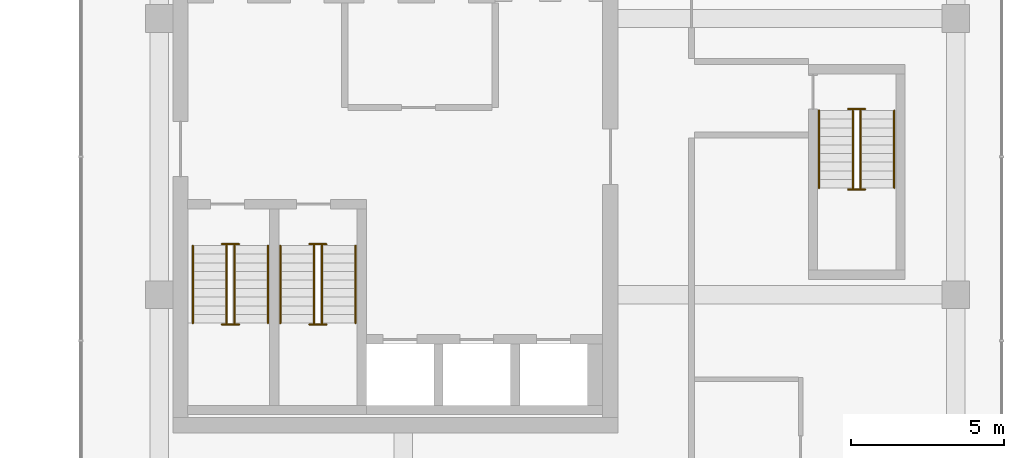
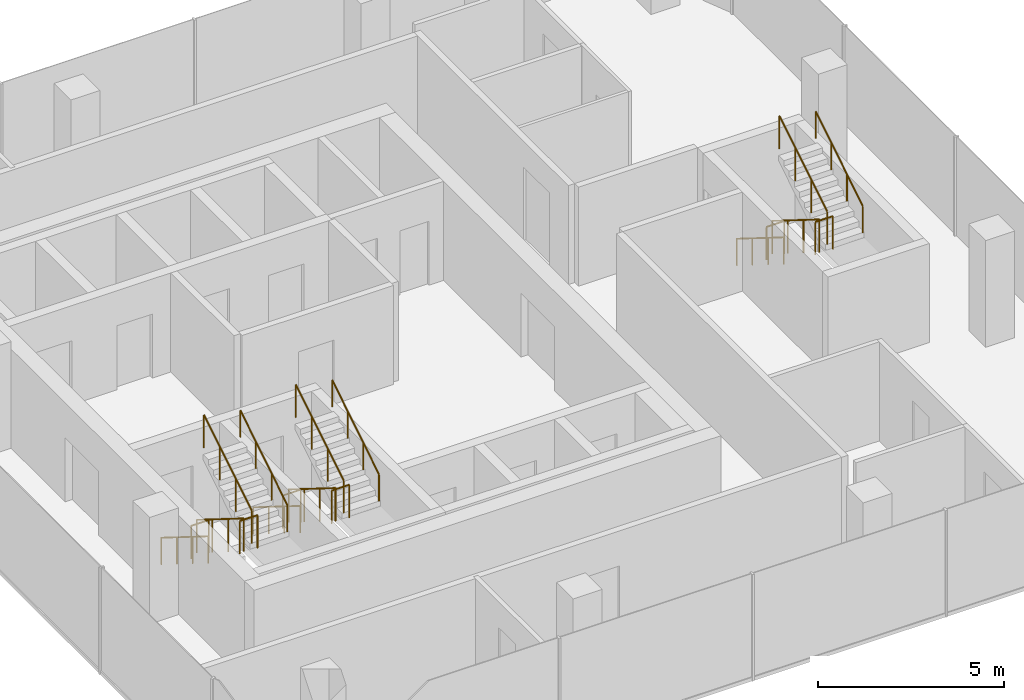
# One storey, part 24 of 24: 18 railings.
"""IFC4 building model written with IfcOpenShell, lengths in metres."""

import ifcopenshell
import ifcopenshell.guid

model = None  # the IFC model being written
_history = None  # IfcOwnerHistory: only IFC2X3 demands one
_inside = {}  # id of a spatial element -> (the spatial element, [elements in it])
_under = {}  # id of a project, library or spatial element -> (it, [spatial elements below it])
_declared = {}  # id of a project -> (the project, [libraries it declares])
_typed = {}  # id of a type object -> (the type object, [elements of that type])
_made_of = {}  # id of a material, layer set ... -> (it, [elements and type objects made of it])


def new_model(schema):
    """Start an empty IFC model of exactly this schema.

    Asked for "IFC4X3", IfcOpenShell would pick the latest addendum, in which some entities
    have other attributes; the version numbers below select the first issue.
    IFC2X3 requires an IfcOwnerHistory on every rooted entity: one is made here for all.
    """
    global model, _history
    if schema == "IFC4X3":
        model = ifcopenshell.file(schema_version=(4, 3, 0, 0))
    else:
        model = ifcopenshell.file(schema=schema)
    _inside.clear()
    _under.clear()
    _declared.clear()
    _typed.clear()
    _made_of.clear()
    _history = None
    if model.schema == "IFC2X3":
        org = make("IfcOrganization", Name="unknown")
        user = make(
            "IfcPersonAndOrganization",
            ThePerson=make("IfcPerson", FamilyName="unknown"),
            TheOrganization=org,
        )
        app = make(
            "IfcApplication",
            ApplicationDeveloper=org,
            Version="unknown",
            ApplicationFullName="unknown",
            ApplicationIdentifier="unknown",
        )
        _history = make(
            "IfcOwnerHistory",
            OwningUser=user,
            OwningApplication=app,
            ChangeAction="ADDED",
            CreationDate=0,
        )
    return model


def make(cls, **values):
    """One entity of the class cls with the attributes given. An attribute that is None is left unset."""
    return model.create_entity(
        cls, **{name: value for name, value in values.items() if value is not None}
    )


def rooted(cls, **values):
    """An entity with a GlobalId (a new one), such as an element, a storey or a relation."""
    return make(cls, GlobalId=ifcopenshell.guid.new(), OwnerHistory=_history, **values)


def si_unit(unit_type, name, prefix=None):
    """IfcSIUnit, for example si_unit("LENGTHUNIT", "METRE", prefix="MILLI")."""
    return make("IfcSIUnit", UnitType=unit_type, Prefix=prefix, Name=name)


def assignment(units):
    """IfcUnitAssignment: the units of a project."""
    return None if units is None else make("IfcUnitAssignment", Units=units)


def point(xyz):
    """IfcCartesianPoint."""
    return None if xyz is None else make("IfcCartesianPoint", Coordinates=xyz)


def direction(xyz):
    """IfcDirection."""
    return None if xyz is None else make("IfcDirection", DirectionRatios=xyz)


def frame(location, z_axis=None, x_axis=None):
    """IfcAxis2Placement3D, a coordinate frame: its origin and axes. An axis left out is left unset."""
    return make(
        "IfcAxis2Placement3D",
        Location=point(location),
        Axis=direction(z_axis),
        RefDirection=direction(x_axis),
    )


def frame_2d(location, x_axis=None):
    """IfcAxis2Placement2D, a coordinate frame in the plane: its origin and x axis."""
    return make(
        "IfcAxis2Placement2D", Location=point(location), RefDirection=direction(x_axis)
    )


def origin():
    """The frame at (0, 0, 0) with its axes left unset."""
    return frame((0.0, 0.0, 0.0))


def origin_2d():
    """The frame at (0, 0) in the plane with its x axis left unset."""
    return frame_2d((0.0, 0.0))


def place(relative_to, where):
    """IfcLocalPlacement: puts the frame where relative to a parent placement (None: the world)."""
    return make(
        "IfcLocalPlacement", PlacementRelTo=relative_to, RelativePlacement=where
    )


def context(
    kind, dimensions, precision=None, world=None, true_north=None, identifier=None
):
    """IfcGeometricRepresentationContext, for example the 3D "Model" context."""
    return make(
        "IfcGeometricRepresentationContext",
        ContextIdentifier=identifier,
        ContextType=kind,
        CoordinateSpaceDimension=dimensions,
        Precision=precision,
        WorldCoordinateSystem=world,
        TrueNorth=true_north,
    )


def subcontext(parent, identifier, kind, view, scale=None):
    """IfcGeometricRepresentationSubContext, for example "Body" below "Model"."""
    return make(
        "IfcGeometricRepresentationSubContext",
        ContextIdentifier=identifier,
        ContextType=kind,
        ParentContext=parent,
        TargetScale=scale,
        TargetView=view,
    )


def project(units=None, contexts=None):
    """IfcProject with its units and contexts."""
    return rooted(
        "IfcProject",
        Name="project",
        RepresentationContexts=contexts,
        UnitsInContext=assignment(units),
    )


def spatial(cls, under=None, at=None, **own):
    """A site, building, storey or space (cls), placed at a placement, below another one or the project."""
    s = rooted(cls, ObjectPlacement=at, **own)
    if under is not None:
        _under.setdefault(under.id(), (under, []))[1].append(s)
    return s


def profile(cls, at=None, kind="AREA", **sizes):
    """A parametric profile (cls). Its sizes go by their IFC names, for example OverallWidth=200.0."""
    return make(cls, ProfileType=kind, Position=at, **sizes)


def circle(**sizes):
    """IfcCircleProfileDef."""
    return profile("IfcCircleProfileDef", **sizes)


def extrude(swept, where, along, depth):
    """IfcExtrudedAreaSolid: the profile swept, set in the frame where, extruded along a direction by depth."""
    return make(
        "IfcExtrudedAreaSolid",
        SweptArea=swept,
        Position=where,
        ExtrudedDirection=direction(along),
        Depth=depth,
    )


def shape(context_of_items, identifier, shape_type, items):
    """IfcShapeRepresentation: the items that make up one representation, for example the "Body"."""
    return make(
        "IfcShapeRepresentation",
        ContextOfItems=context_of_items,
        RepresentationIdentifier=identifier,
        RepresentationType=shape_type,
        Items=items,
    )


def material(Name=None, Category=None):
    """IfcMaterial."""
    return make("IfcMaterial", Name=Name, Category=Category)


def made_of(thing, what):
    """Note that an element or type object is made of a material, layer set ...; save() writes the relation."""
    if what is not None:
        _made_of.setdefault(what.id(), (what, []))[1].append(thing)
    return thing


def type_object(cls, material=None, **own):
    """A type object (cls), such as IfcWallType, which elements share."""
    return made_of(rooted(cls, **own), material)


def element(
    cls,
    number,
    at=None,
    inside=None,
    cuts=None,
    type_object=None,
    material=None,
    context=None,
    identifier="Body",
    shape_type=None,
    held_by="IfcProductDefinitionShape",
    body=None,
    shapes=None,
    **own,
):
    """One element of the class cls, such as IfcWall. Its Tag is "e" and its number.

    at: its placement. inside: the storey or other place that contains it. cuts: it is an
    opening in that element (IfcRelVoidsElement). A single representation is given by context,
    identifier, shape_type and body (its items); several are given by shapes. held_by: the class
    of the entity that holds the representations. save() writes the other relations.
    """
    e = rooted(cls, Tag="e%d" % number, ObjectPlacement=at, **own)
    if body is not None:
        shapes = [shape(context, identifier, shape_type, body)]
    if shapes is not None:
        e.Representation = make(held_by, Representations=shapes)
    if inside is not None:
        _inside.setdefault(inside.id(), (inside, []))[1].append(e)
    if cuts is not None:
        rooted(
            "IfcRelVoidsElement", RelatingBuildingElement=cuts, RelatedOpeningElement=e
        )
    if type_object is not None:
        _typed.setdefault(type_object.id(), (type_object, []))[1].append(e)
    return made_of(e, material)


def aggregate(whole, parts):
    """IfcRelAggregates: a whole, such as a stair, and the parts it consists of."""
    return rooted("IfcRelAggregates", RelatingObject=whole, RelatedObjects=parts)


def save(model, path):
    """Write the relations noted so far, then the file.

    IfcRelAggregates (storeys below a building ...), IfcRelContainedInSpatialStructure (elements
    in a storey), IfcRelDefinesByType, IfcRelAssociatesMaterial and IfcRelDeclares: one each for
    every whole, place, type object, material and project.
    """
    for whole, parts in _under.values():
        aggregate(whole, parts)
    for where, things in _inside.values():
        rooted(
            "IfcRelContainedInSpatialStructure",
            RelatedElements=things,
            RelatingStructure=where,
        )
    for kind, things in _typed.values():
        rooted("IfcRelDefinesByType", RelatedObjects=things, RelatingType=kind)
    for what, things in _made_of.values():
        rooted("IfcRelAssociatesMaterial", RelatedObjects=things, RelatingMaterial=what)
    for by, libraries in _declared.values():
        rooted("IfcRelDeclares", RelatingContext=by, RelatedDefinitions=libraries)
    model.write(path)


model = new_model("IFC4")

# Units and contexts
model_context = context("Model", 3, precision=1e-05, world=origin(), true_north=direction((0.0, 1.0)))
body_context = subcontext(model_context, "Body", "Model", "MODEL_VIEW")
ifc_project = project(units=[si_unit("LENGTHUNIT", "METRE"), si_unit("AREAUNIT", "SQUARE_METRE"), si_unit("VOLUMEUNIT", "CUBIC_METRE"), si_unit("PLANEANGLEUNIT", "RADIAN"), si_unit("MASSUNIT", "GRAM", prefix="KILO")], contexts=[model_context])

# Site, building, storey
site_placement = place(None, origin())
site = spatial("IfcSite", under=ifc_project, at=site_placement, CompositionType="ELEMENT")
building_placement = place(site_placement, origin())
building = spatial("IfcBuilding", under=site, at=building_placement, Name="Plateau Cross Towers", CompositionType="ELEMENT")
storey_placement = place(building_placement, frame((0.0, 0.0, 47.800048828125)))
storey = spatial("IfcBuildingStorey", under=building, at=storey_placement, Name="L11", CompositionType="ELEMENT", Elevation=47.800048828125)

# Railings
ifc_material_1 = material(Name="Stainless steel and toughened glass", Category="steel")
railing_type_1 = type_object("IfcRailingType", Name="RL-GUARD-1100", PredefinedType="GUARDRAIL", material=ifc_material_1)
railing_1_placement = place(storey_placement, frame((76.75, 6.10009765625, 0.175048828125)))
element("IfcRailing", 1, at=railing_1_placement, inside=storey, type_object=railing_type_1, Name="L11 SB-1 stair guard 1", PredefinedType="GUARDRAIL", context=body_context, shape_type="SweptSolid", body=[
    extrude(circle(Radius=0.02392578125, at=origin_2d()), frame((0.0, 0.0, 1.076171875), z_axis=(0.0, -0.848007534815, 0.529984170421), x_axis=(1.0, 0.0, 0.0)), (0.0, 0.0, 1.0), 2.9716796875),
    extrude(circle(Radius=0.02099609375, at=origin_2d()), origin(), (0.0, 0.0, 1.0), 1.052001953125),
    extrude(circle(Radius=0.02099609375, at=origin_2d()), frame((0.0, -0.840087890625, 0.52490234375)), (0.0, 0.0, 1.0), 1.052001953125),
    extrude(circle(Radius=0.02099609375, at=origin_2d()), frame((0.0, -1.679931640625, 1.050048828125)), (0.0, 0.0, 1.0), 1.052001953125),
    extrude(circle(Radius=0.02099609375, at=origin_2d()), frame((0.0, -2.52001953125, 1.574951171875)), (0.0, 0.0, 1.0), 1.052001953125),
])
railing_2_placement = place(storey_placement, frame((76.60009765625, 3.530029296875, 1.75)))
element("IfcRailing", 2, at=railing_2_placement, inside=storey, type_object=railing_type_1, Name="L11 SB-1 stair guard 2", PredefinedType="GUARDRAIL", context=body_context, shape_type="SweptSolid", body=[
    extrude(circle(Radius=0.02392578125, at=origin_2d()), frame((0.0, 0.0, 1.076171875), z_axis=(1.0, 0.0, 0.0), x_axis=(0.0, 1.0, 0.0)), (0.0, 0.0, 1.0), 0.5498046875),
    extrude(circle(Radius=0.02099609375, at=origin_2d()), origin(), (0.0, 0.0, 1.0), 1.052001953125),
    extrude(circle(Radius=0.02099609375, at=origin_2d()), frame((0.5498046875, 0.0, 0.0)), (0.0, 0.0, 1.0), 1.052001953125),
])
railing_3_placement = place(storey_placement, frame((77.0, 3.580078125, 1.925048828125)))
element("IfcRailing", 3, at=railing_3_placement, inside=storey, type_object=railing_type_1, Name="L11 SB-1 stair guard 3", PredefinedType="GUARDRAIL", context=body_context, shape_type="SweptSolid", body=[
    extrude(circle(Radius=0.02392578125, at=origin_2d()), frame((0.0, 0.0, 1.076171875), z_axis=(0.0, 0.852616386126, 0.522537365276), x_axis=(-1.0, 0.0, 0.0)), (0.0, 0.0, 1.0), 3.01416015625),
    extrude(circle(Radius=0.02099609375, at=origin_2d()), origin(), (0.0, 0.0, 1.0), 1.052001953125),
    extrude(circle(Radius=0.02099609375, at=origin_2d()), frame((0.0, 0.856689453125, 0.52490234375)), (0.0, 0.0, 1.0), 1.052001953125),
    extrude(circle(Radius=0.02099609375, at=origin_2d()), frame((0.0, 1.713134765625, 1.050048828125)), (0.0, 0.0, 1.0), 1.052001953125),
    extrude(circle(Radius=0.02099609375, at=origin_2d()), frame((0.0, 2.56982421875, 1.574951171875)), (0.0, 0.0, 1.0), 1.052001953125),
])
railing_4_placement = place(storey_placement, frame((76.60009765625, 6.14990234375, 0.0)))
element("IfcRailing", 4, at=railing_4_placement, inside=storey, type_object=railing_type_1, Name="L11 SB-1 stair guard 4", PredefinedType="GUARDRAIL", context=body_context, shape_type="SweptSolid", body=[
    extrude(circle(Radius=0.02392578125, at=origin_2d()), frame((0.0, 0.0, 1.076171875), z_axis=(1.0, 0.0, 0.0), x_axis=(0.0, 1.0, 0.0)), (0.0, 0.0, 1.0), 0.5498046875),
    extrude(circle(Radius=0.02099609375, at=origin_2d()), origin(), (0.0, 0.0, 1.0), 1.052001953125),
    extrude(circle(Radius=0.02099609375, at=origin_2d()), frame((0.5498046875, 0.0, 0.0)), (0.0, 0.0, 1.0), 1.052001953125),
])
railing_5_placement = place(storey_placement, frame((79.60009765625, 6.10009765625, 0.175048828125)))
element("IfcRailing", 5, at=railing_5_placement, inside=storey, type_object=railing_type_1, Name="L11 SB-2 stair guard 1", PredefinedType="GUARDRAIL", context=body_context, shape_type="SweptSolid", body=[
    extrude(circle(Radius=0.02392578125, at=origin_2d()), frame((0.0, 0.0, 1.076171875), z_axis=(0.0, -0.848007534815, 0.529984170421), x_axis=(1.0, 0.0, 0.0)), (0.0, 0.0, 1.0), 2.9716796875),
    extrude(circle(Radius=0.02099609375, at=origin_2d()), origin(), (0.0, 0.0, 1.0), 1.052001953125),
    extrude(circle(Radius=0.02099609375, at=origin_2d()), frame((0.0, -0.840087890625, 0.52490234375)), (0.0, 0.0, 1.0), 1.052001953125),
    extrude(circle(Radius=0.02099609375, at=origin_2d()), frame((0.0, -1.679931640625, 1.050048828125)), (0.0, 0.0, 1.0), 1.052001953125),
    extrude(circle(Radius=0.02099609375, at=origin_2d()), frame((0.0, -2.52001953125, 1.574951171875)), (0.0, 0.0, 1.0), 1.052001953125),
])
railing_6_placement = place(storey_placement, frame((79.449951171875, 3.530029296875, 1.75)))
element("IfcRailing", 6, at=railing_6_placement, inside=storey, type_object=railing_type_1, Name="L11 SB-2 stair guard 2", PredefinedType="GUARDRAIL", context=body_context, shape_type="SweptSolid", body=[
    extrude(circle(Radius=0.02392578125, at=origin_2d()), frame((0.0, 0.0, 1.076171875), z_axis=(1.0, 0.0, 0.0), x_axis=(0.0, 1.0, 0.0)), (0.0, 0.0, 1.0), 0.550048828125),
    extrude(circle(Radius=0.02099609375, at=origin_2d()), origin(), (0.0, 0.0, 1.0), 1.052001953125),
    extrude(circle(Radius=0.02099609375, at=origin_2d()), frame((0.550048828125, 0.0, 0.0)), (0.0, 0.0, 1.0), 1.052001953125),
])
railing_7_placement = place(storey_placement, frame((79.85009765625, 3.580078125, 1.925048828125)))
element("IfcRailing", 7, at=railing_7_placement, inside=storey, type_object=railing_type_1, Name="L11 SB-2 stair guard 3", PredefinedType="GUARDRAIL", context=body_context, shape_type="SweptSolid", body=[
    extrude(circle(Radius=0.02392578125, at=origin_2d()), frame((0.0, 0.0, 1.076171875), z_axis=(0.0, 0.852616386126, 0.522537365276), x_axis=(-1.0, 0.0, 0.0)), (0.0, 0.0, 1.0), 3.01416015625),
    extrude(circle(Radius=0.02099609375, at=origin_2d()), origin(), (0.0, 0.0, 1.0), 1.052001953125),
    extrude(circle(Radius=0.02099609375, at=origin_2d()), frame((0.0, 0.856689453125, 0.52490234375)), (0.0, 0.0, 1.0), 1.052001953125),
    extrude(circle(Radius=0.02099609375, at=origin_2d()), frame((0.0, 1.713134765625, 1.050048828125)), (0.0, 0.0, 1.0), 1.052001953125),
    extrude(circle(Radius=0.02099609375, at=origin_2d()), frame((0.0, 2.56982421875, 1.574951171875)), (0.0, 0.0, 1.0), 1.052001953125),
])
railing_8_placement = place(storey_placement, frame((79.449951171875, 6.14990234375, 0.0)))
element("IfcRailing", 8, at=railing_8_placement, inside=storey, type_object=railing_type_1, Name="L11 SB-2 stair guard 4", PredefinedType="GUARDRAIL", context=body_context, shape_type="SweptSolid", body=[
    extrude(circle(Radius=0.02392578125, at=origin_2d()), frame((0.0, 0.0, 1.076171875), z_axis=(1.0, 0.0, 0.0), x_axis=(0.0, 1.0, 0.0)), (0.0, 0.0, 1.0), 0.550048828125),
    extrude(circle(Radius=0.02099609375, at=origin_2d()), origin(), (0.0, 0.0, 1.0), 1.052001953125),
    extrude(circle(Radius=0.02099609375, at=origin_2d()), frame((0.550048828125, 0.0, 0.0)), (0.0, 0.0, 1.0), 1.052001953125),
])
railing_9_placement = place(storey_placement, frame((97.14990234375, 10.5, 0.175048828125)))
element("IfcRailing", 9, at=railing_9_placement, inside=storey, type_object=railing_type_1, Name="L11 SB-3 stair guard 1", PredefinedType="GUARDRAIL", context=body_context, shape_type="SweptSolid", body=[
    extrude(circle(Radius=0.02392578125, at=origin_2d()), frame((0.0, 0.0, 1.076171875), z_axis=(0.0, -0.848007534815, 0.529984170421), x_axis=(1.0, 0.0, 0.0)), (0.0, 0.0, 1.0), 2.9716796875),
    extrude(circle(Radius=0.02099609375, at=origin_2d()), origin(), (0.0, 0.0, 1.0), 1.052001953125),
    extrude(circle(Radius=0.02099609375, at=origin_2d()), frame((0.0, -0.840087890625, 0.52490234375)), (0.0, 0.0, 1.0), 1.052001953125),
    extrude(circle(Radius=0.02099609375, at=origin_2d()), frame((0.0, -1.679931640625, 1.050048828125)), (0.0, 0.0, 1.0), 1.052001953125),
    extrude(circle(Radius=0.02099609375, at=origin_2d()), frame((0.0, -2.52001953125, 1.574951171875)), (0.0, 0.0, 1.0), 1.052001953125),
])
railing_10_placement = place(storey_placement, frame((97.0, 7.929931640625, 1.75)))
element("IfcRailing", 10, at=railing_10_placement, inside=storey, type_object=railing_type_1, Name="L11 SB-3 stair guard 2", PredefinedType="GUARDRAIL", context=body_context, shape_type="SweptSolid", body=[
    extrude(circle(Radius=0.02392578125, at=origin_2d()), frame((0.0, 0.0, 1.076171875), z_axis=(1.0, 0.0, 0.0), x_axis=(0.0, 1.0, 0.0)), (0.0, 0.0, 1.0), 0.550048828125),
    extrude(circle(Radius=0.02099609375, at=origin_2d()), origin(), (0.0, 0.0, 1.0), 1.052001953125),
    extrude(circle(Radius=0.02099609375, at=origin_2d()), frame((0.550048828125, 0.0, 0.0)), (0.0, 0.0, 1.0), 1.052001953125),
])
railing_11_placement = place(storey_placement, frame((97.39990234375, 7.97998046875, 1.925048828125)))
element("IfcRailing", 11, at=railing_11_placement, inside=storey, type_object=railing_type_1, Name="L11 SB-3 stair guard 3", PredefinedType="GUARDRAIL", context=body_context, shape_type="SweptSolid", body=[
    extrude(circle(Radius=0.02392578125, at=origin_2d()), frame((0.0, 0.0, 1.076171875), z_axis=(0.0, 0.852638500773, 0.522501279423), x_axis=(-1.0, 0.0, 0.0)), (0.0, 0.0, 1.0), 3.01416015625),
    extrude(circle(Radius=0.02099609375, at=origin_2d()), origin(), (0.0, 0.0, 1.0), 1.052001953125),
    extrude(circle(Radius=0.02099609375, at=origin_2d()), frame((0.0, 0.856689453125, 0.52490234375)), (0.0, 0.0, 1.0), 1.052001953125),
    extrude(circle(Radius=0.02099609375, at=origin_2d()), frame((0.0, 1.71337890625, 1.050048828125)), (0.0, 0.0, 1.0), 1.052001953125),
    extrude(circle(Radius=0.02099609375, at=origin_2d()), frame((0.0, 2.570068359375, 1.574951171875)), (0.0, 0.0, 1.0), 1.052001953125),
])
railing_12_placement = place(storey_placement, frame((97.0, 10.550048828125, 0.0)))
element("IfcRailing", 12, at=railing_12_placement, inside=storey, type_object=railing_type_1, Name="L11 SB-3 stair guard 4", PredefinedType="GUARDRAIL", context=body_context, shape_type="SweptSolid", body=[
    extrude(circle(Radius=0.02392578125, at=origin_2d()), frame((0.0, 0.0, 1.076171875), z_axis=(1.0, 0.0, 0.0), x_axis=(0.0, 1.0, 0.0)), (0.0, 0.0, 1.0), 0.550048828125),
    extrude(circle(Radius=0.02099609375, at=origin_2d()), origin(), (0.0, 0.0, 1.0), 1.052001953125),
    extrude(circle(Radius=0.02099609375, at=origin_2d()), frame((0.550048828125, 0.0, 0.0)), (0.0, 0.0, 1.0), 1.052001953125),
])
ifc_material_2 = material(Name="Black anodised aluminium", Category="aluminium")
railing_type_2 = type_object("IfcRailingType", Name="RL-HANDRAIL-900", PredefinedType="HANDRAIL", material=ifc_material_2)
railing_13_placement = place(storey_placement, frame((75.64990234375, 6.10009765625, 0.175048828125)))
element("IfcRailing", 13, at=railing_13_placement, inside=storey, type_object=railing_type_2, Name="L11 SB-1 stair handrail 1", PredefinedType="HANDRAIL", context=body_context, shape_type="SweptSolid", body=[
    extrude(circle(Radius=0.02392578125, at=origin_2d()), frame((0.0, 0.0, 0.8759765625), z_axis=(0.0, -0.848007534815, 0.529984170421), x_axis=(1.0, 0.0, 0.0)), (0.0, 0.0, 1.0), 2.9716796875),
    extrude(circle(Radius=0.02099609375, at=origin_2d()), origin(), (0.0, 0.0, 1.0), 0.851806640625),
    extrude(circle(Radius=0.02099609375, at=origin_2d()), frame((0.0, -0.840087890625, 0.52490234375)), (0.0, 0.0, 1.0), 0.851806640625),
    extrude(circle(Radius=0.02099609375, at=origin_2d()), frame((0.0, -1.679931640625, 1.050048828125)), (0.0, 0.0, 1.0), 0.851806640625),
    extrude(circle(Radius=0.02099609375, at=origin_2d()), frame((0.0, -2.52001953125, 1.574951171875)), (0.0, 0.0, 1.0), 0.851806640625),
])
railing_14_placement = place(storey_placement, frame((78.10009765625, 3.580078125, 1.925048828125)))
element("IfcRailing", 14, at=railing_14_placement, inside=storey, type_object=railing_type_2, Name="L11 SB-1 stair handrail 2", PredefinedType="HANDRAIL", context=body_context, shape_type="SweptSolid", body=[
    extrude(circle(Radius=0.02392578125, at=origin_2d()), frame((0.0, 0.0, 0.8759765625), z_axis=(0.0, 0.848007534815, 0.529984170421), x_axis=(-1.0, 0.0, 0.0)), (0.0, 0.0, 1.0), 2.9716796875),
    extrude(circle(Radius=0.02099609375, at=origin_2d()), origin(), (0.0, 0.0, 1.0), 0.851806640625),
    extrude(circle(Radius=0.02099609375, at=origin_2d()), frame((0.0, 0.840087890625, 0.52490234375)), (0.0, 0.0, 1.0), 0.851806640625),
    extrude(circle(Radius=0.02099609375, at=origin_2d()), frame((0.0, 1.679931640625, 1.050048828125)), (0.0, 0.0, 1.0), 0.851806640625),
    extrude(circle(Radius=0.02099609375, at=origin_2d()), frame((0.0, 2.52001953125, 1.574951171875)), (0.0, 0.0, 1.0), 0.851806640625),
])
railing_15_placement = place(storey_placement, frame((78.5, 6.10009765625, 0.175048828125)))
element("IfcRailing", 15, at=railing_15_placement, inside=storey, type_object=railing_type_2, Name="L11 SB-2 stair handrail 1", PredefinedType="HANDRAIL", context=body_context, shape_type="SweptSolid", body=[
    extrude(circle(Radius=0.02392578125, at=origin_2d()), frame((0.0, 0.0, 0.8759765625), z_axis=(0.0, -0.848007534815, 0.529984170421), x_axis=(1.0, 0.0, 0.0)), (0.0, 0.0, 1.0), 2.9716796875),
    extrude(circle(Radius=0.02099609375, at=origin_2d()), origin(), (0.0, 0.0, 1.0), 0.851806640625),
    extrude(circle(Radius=0.02099609375, at=origin_2d()), frame((0.0, -0.840087890625, 0.52490234375)), (0.0, 0.0, 1.0), 0.851806640625),
    extrude(circle(Radius=0.02099609375, at=origin_2d()), frame((0.0, -1.679931640625, 1.050048828125)), (0.0, 0.0, 1.0), 0.851806640625),
    extrude(circle(Radius=0.02099609375, at=origin_2d()), frame((0.0, -2.52001953125, 1.574951171875)), (0.0, 0.0, 1.0), 0.851806640625),
])
railing_16_placement = place(storey_placement, frame((80.949951171875, 3.580078125, 1.925048828125)))
element("IfcRailing", 16, at=railing_16_placement, inside=storey, type_object=railing_type_2, Name="L11 SB-2 stair handrail 2", PredefinedType="HANDRAIL", context=body_context, shape_type="SweptSolid", body=[
    extrude(circle(Radius=0.02392578125, at=origin_2d()), frame((0.0, 0.0, 0.8759765625), z_axis=(0.0, 0.848007534815, 0.529984170421), x_axis=(-1.0, 0.0, 0.0)), (0.0, 0.0, 1.0), 2.9716796875),
    extrude(circle(Radius=0.02099609375, at=origin_2d()), origin(), (0.0, 0.0, 1.0), 0.851806640625),
    extrude(circle(Radius=0.02099609375, at=origin_2d()), frame((0.0, 0.840087890625, 0.52490234375)), (0.0, 0.0, 1.0), 0.851806640625),
    extrude(circle(Radius=0.02099609375, at=origin_2d()), frame((0.0, 1.679931640625, 1.050048828125)), (0.0, 0.0, 1.0), 0.851806640625),
    extrude(circle(Radius=0.02099609375, at=origin_2d()), frame((0.0, 2.52001953125, 1.574951171875)), (0.0, 0.0, 1.0), 0.851806640625),
])
railing_17_placement = place(storey_placement, frame((96.050048828125, 10.5, 0.175048828125)))
element("IfcRailing", 17, at=railing_17_placement, inside=storey, type_object=railing_type_2, Name="L11 SB-3 stair handrail 1", PredefinedType="HANDRAIL", context=body_context, shape_type="SweptSolid", body=[
    extrude(circle(Radius=0.02392578125, at=origin_2d()), frame((0.0, 0.0, 0.8759765625), z_axis=(0.0, -0.848007534815, 0.529984170421), x_axis=(1.0, 0.0, 0.0)), (0.0, 0.0, 1.0), 2.9716796875),
    extrude(circle(Radius=0.02099609375, at=origin_2d()), origin(), (0.0, 0.0, 1.0), 0.851806640625),
    extrude(circle(Radius=0.02099609375, at=origin_2d()), frame((0.0, -0.840087890625, 0.52490234375)), (0.0, 0.0, 1.0), 0.851806640625),
    extrude(circle(Radius=0.02099609375, at=origin_2d()), frame((0.0, -1.679931640625, 1.050048828125)), (0.0, 0.0, 1.0), 0.851806640625),
    extrude(circle(Radius=0.02099609375, at=origin_2d()), frame((0.0, -2.52001953125, 1.574951171875)), (0.0, 0.0, 1.0), 0.851806640625),
])
railing_18_placement = place(storey_placement, frame((98.5, 7.97998046875, 1.925048828125)))
element("IfcRailing", 18, at=railing_18_placement, inside=storey, type_object=railing_type_2, Name="L11 SB-3 stair handrail 2", PredefinedType="HANDRAIL", context=body_context, shape_type="SweptSolid", body=[
    extrude(circle(Radius=0.02392578125, at=origin_2d()), frame((0.0, 0.0, 0.8759765625), z_axis=(0.0, 0.848007534815, 0.529984170421), x_axis=(-1.0, 0.0, 0.0)), (0.0, 0.0, 1.0), 2.9716796875),
    extrude(circle(Radius=0.02099609375, at=origin_2d()), origin(), (0.0, 0.0, 1.0), 0.851806640625),
    extrude(circle(Radius=0.02099609375, at=origin_2d()), frame((0.0, 0.840087890625, 0.52490234375)), (0.0, 0.0, 1.0), 0.851806640625),
    extrude(circle(Radius=0.02099609375, at=origin_2d()), frame((0.0, 1.679931640625, 1.050048828125)), (0.0, 0.0, 1.0), 0.851806640625),
    extrude(circle(Radius=0.02099609375, at=origin_2d()), frame((0.0, 2.52001953125, 1.574951171875)), (0.0, 0.0, 1.0), 0.851806640625),
])

save(model, "model.ifc")
